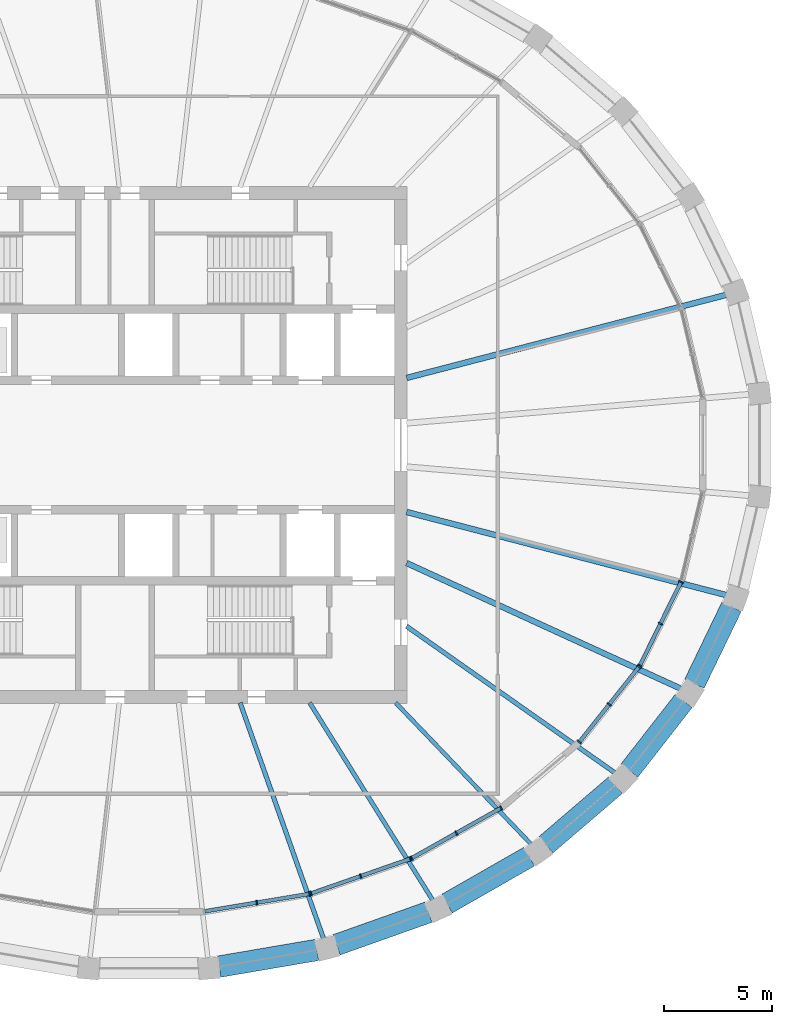
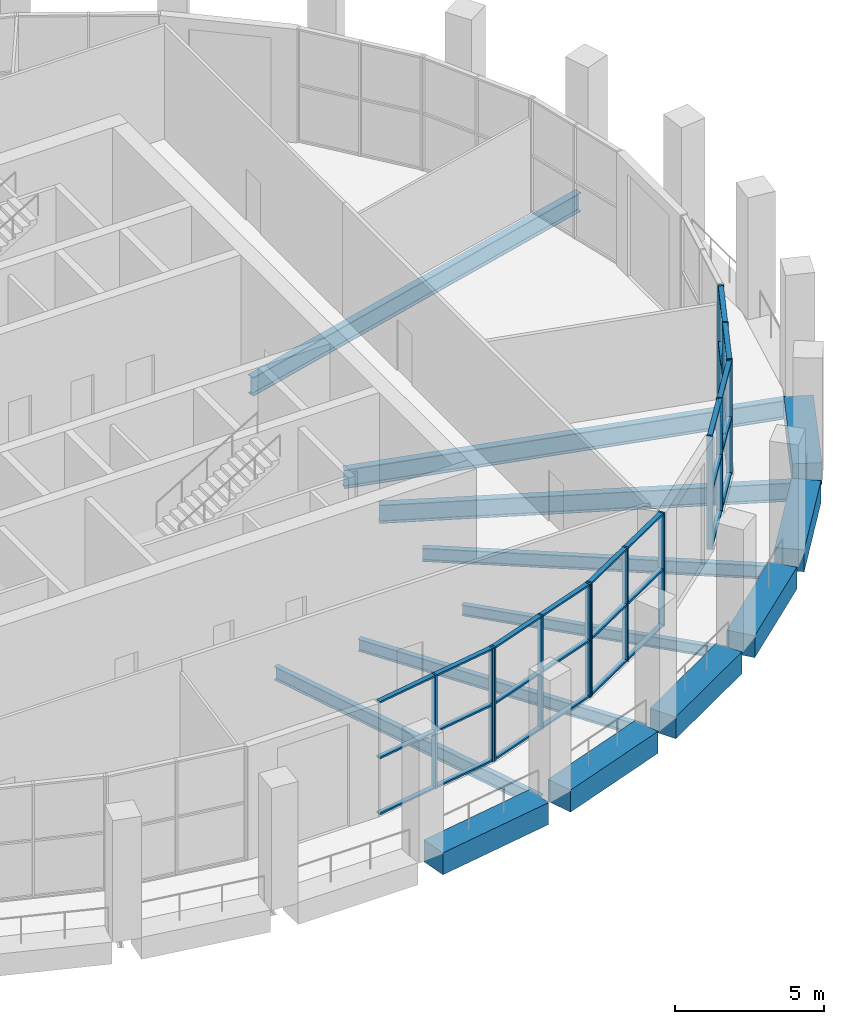
# One storey, part 4 of 16: 44 members, 13 beams, 5 elements without a shape of their own.
"""IFC4 building model written with IfcOpenShell, lengths in metres."""

import ifcopenshell
import ifcopenshell.guid

model = None  # the IFC model being written
_history = None  # IfcOwnerHistory: only IFC2X3 demands one
_inside = {}  # id of a spatial element -> (the spatial element, [elements in it])
_under = {}  # id of a project, library or spatial element -> (it, [spatial elements below it])
_declared = {}  # id of a project -> (the project, [libraries it declares])
_typed = {}  # id of a type object -> (the type object, [elements of that type])
_made_of = {}  # id of a material, layer set ... -> (it, [elements and type objects made of it])


def new_model(schema):
    """Start an empty IFC model of exactly this schema.

    Asked for "IFC4X3", IfcOpenShell would pick the latest addendum, in which some entities
    have other attributes; the version numbers below select the first issue.
    IFC2X3 requires an IfcOwnerHistory on every rooted entity: one is made here for all.
    """
    global model, _history
    if schema == "IFC4X3":
        model = ifcopenshell.file(schema_version=(4, 3, 0, 0))
    else:
        model = ifcopenshell.file(schema=schema)
    _inside.clear()
    _under.clear()
    _declared.clear()
    _typed.clear()
    _made_of.clear()
    _history = None
    if model.schema == "IFC2X3":
        org = make("IfcOrganization", Name="unknown")
        user = make(
            "IfcPersonAndOrganization",
            ThePerson=make("IfcPerson", FamilyName="unknown"),
            TheOrganization=org,
        )
        app = make(
            "IfcApplication",
            ApplicationDeveloper=org,
            Version="unknown",
            ApplicationFullName="unknown",
            ApplicationIdentifier="unknown",
        )
        _history = make(
            "IfcOwnerHistory",
            OwningUser=user,
            OwningApplication=app,
            ChangeAction="ADDED",
            CreationDate=0,
        )
    return model


def make(cls, **values):
    """One entity of the class cls with the attributes given. An attribute that is None is left unset."""
    return model.create_entity(
        cls, **{name: value for name, value in values.items() if value is not None}
    )


def rooted(cls, **values):
    """An entity with a GlobalId (a new one), such as an element, a storey or a relation."""
    return make(cls, GlobalId=ifcopenshell.guid.new(), OwnerHistory=_history, **values)


def si_unit(unit_type, name, prefix=None):
    """IfcSIUnit, for example si_unit("LENGTHUNIT", "METRE", prefix="MILLI")."""
    return make("IfcSIUnit", UnitType=unit_type, Prefix=prefix, Name=name)


def assignment(units):
    """IfcUnitAssignment: the units of a project."""
    return None if units is None else make("IfcUnitAssignment", Units=units)


def point(xyz):
    """IfcCartesianPoint."""
    return None if xyz is None else make("IfcCartesianPoint", Coordinates=xyz)


def direction(xyz):
    """IfcDirection."""
    return None if xyz is None else make("IfcDirection", DirectionRatios=xyz)


def frame(location, z_axis=None, x_axis=None):
    """IfcAxis2Placement3D, a coordinate frame: its origin and axes. An axis left out is left unset."""
    return make(
        "IfcAxis2Placement3D",
        Location=point(location),
        Axis=direction(z_axis),
        RefDirection=direction(x_axis),
    )


def frame_2d(location, x_axis=None):
    """IfcAxis2Placement2D, a coordinate frame in the plane: its origin and x axis."""
    return make(
        "IfcAxis2Placement2D", Location=point(location), RefDirection=direction(x_axis)
    )


def origin():
    """The frame at (0, 0, 0) with its axes left unset."""
    return frame((0.0, 0.0, 0.0))


def origin_2d():
    """The frame at (0, 0) in the plane with its x axis left unset."""
    return frame_2d((0.0, 0.0))


def place(relative_to, where):
    """IfcLocalPlacement: puts the frame where relative to a parent placement (None: the world)."""
    return make(
        "IfcLocalPlacement", PlacementRelTo=relative_to, RelativePlacement=where
    )


def context(
    kind, dimensions, precision=None, world=None, true_north=None, identifier=None
):
    """IfcGeometricRepresentationContext, for example the 3D "Model" context."""
    return make(
        "IfcGeometricRepresentationContext",
        ContextIdentifier=identifier,
        ContextType=kind,
        CoordinateSpaceDimension=dimensions,
        Precision=precision,
        WorldCoordinateSystem=world,
        TrueNorth=true_north,
    )


def subcontext(parent, identifier, kind, view, scale=None):
    """IfcGeometricRepresentationSubContext, for example "Body" below "Model"."""
    return make(
        "IfcGeometricRepresentationSubContext",
        ContextIdentifier=identifier,
        ContextType=kind,
        ParentContext=parent,
        TargetScale=scale,
        TargetView=view,
    )


def project(units=None, contexts=None):
    """IfcProject with its units and contexts."""
    return rooted(
        "IfcProject",
        Name="project",
        RepresentationContexts=contexts,
        UnitsInContext=assignment(units),
    )


def spatial(cls, under=None, at=None, **own):
    """A site, building, storey or space (cls), placed at a placement, below another one or the project."""
    s = rooted(cls, ObjectPlacement=at, **own)
    if under is not None:
        _under.setdefault(under.id(), (under, []))[1].append(s)
    return s


def profile(cls, at=None, kind="AREA", **sizes):
    """A parametric profile (cls). Its sizes go by their IFC names, for example OverallWidth=200.0."""
    return make(cls, ProfileType=kind, Position=at, **sizes)


def rectangle(**sizes):
    """IfcRectangleProfileDef."""
    return profile("IfcRectangleProfileDef", **sizes)


def i_section(**sizes):
    """IfcIShapeProfileDef."""
    return profile("IfcIShapeProfileDef", **sizes)


def extrude(swept, where, along, depth):
    """IfcExtrudedAreaSolid: the profile swept, set in the frame where, extruded along a direction by depth."""
    return make(
        "IfcExtrudedAreaSolid",
        SweptArea=swept,
        Position=where,
        ExtrudedDirection=direction(along),
        Depth=depth,
    )


def shape(context_of_items, identifier, shape_type, items):
    """IfcShapeRepresentation: the items that make up one representation, for example the "Body"."""
    return make(
        "IfcShapeRepresentation",
        ContextOfItems=context_of_items,
        RepresentationIdentifier=identifier,
        RepresentationType=shape_type,
        Items=items,
    )


def material(Name=None, Category=None):
    """IfcMaterial."""
    return make("IfcMaterial", Name=Name, Category=Category)


def material_profile(
    of_material, cross_section, Name=None, Category=None, Priority=None
):
    """IfcMaterialProfile: a cross section and its material."""
    return make(
        "IfcMaterialProfile",
        Name=Name,
        Material=of_material,
        Profile=cross_section,
        Priority=Priority,
        Category=Category,
    )


def profile_set(profiles, Name=None, composite=None):
    """IfcMaterialProfileSet."""
    return make(
        "IfcMaterialProfileSet",
        Name=Name,
        MaterialProfiles=profiles,
        CompositeProfile=composite,
    )


def made_of(thing, what):
    """Note that an element or type object is made of a material, layer set ...; save() writes the relation."""
    if what is not None:
        _made_of.setdefault(what.id(), (what, []))[1].append(thing)
    return thing


def type_object(cls, material=None, **own):
    """A type object (cls), such as IfcWallType, which elements share."""
    return made_of(rooted(cls, **own), material)


def element(
    cls,
    number,
    at=None,
    inside=None,
    cuts=None,
    type_object=None,
    material=None,
    context=None,
    identifier="Body",
    shape_type=None,
    held_by="IfcProductDefinitionShape",
    body=None,
    shapes=None,
    **own,
):
    """One element of the class cls, such as IfcWall. Its Tag is "e" and its number.

    at: its placement. inside: the storey or other place that contains it. cuts: it is an
    opening in that element (IfcRelVoidsElement). A single representation is given by context,
    identifier, shape_type and body (its items); several are given by shapes. held_by: the class
    of the entity that holds the representations. save() writes the other relations.
    """
    e = rooted(cls, Tag="e%d" % number, ObjectPlacement=at, **own)
    if body is not None:
        shapes = [shape(context, identifier, shape_type, body)]
    if shapes is not None:
        e.Representation = make(held_by, Representations=shapes)
    if inside is not None:
        _inside.setdefault(inside.id(), (inside, []))[1].append(e)
    if cuts is not None:
        rooted(
            "IfcRelVoidsElement", RelatingBuildingElement=cuts, RelatedOpeningElement=e
        )
    if type_object is not None:
        _typed.setdefault(type_object.id(), (type_object, []))[1].append(e)
    return made_of(e, material)


def aggregate(whole, parts):
    """IfcRelAggregates: a whole, such as a stair, and the parts it consists of."""
    return rooted("IfcRelAggregates", RelatingObject=whole, RelatedObjects=parts)


def save(model, path):
    """Write the relations noted so far, then the file.

    IfcRelAggregates (storeys below a building ...), IfcRelContainedInSpatialStructure (elements
    in a storey), IfcRelDefinesByType, IfcRelAssociatesMaterial and IfcRelDeclares: one each for
    every whole, place, type object, material and project.
    """
    for whole, parts in _under.values():
        aggregate(whole, parts)
    for where, things in _inside.values():
        rooted(
            "IfcRelContainedInSpatialStructure",
            RelatedElements=things,
            RelatingStructure=where,
        )
    for kind, things in _typed.values():
        rooted("IfcRelDefinesByType", RelatedObjects=things, RelatingType=kind)
    for what, things in _made_of.values():
        rooted("IfcRelAssociatesMaterial", RelatedObjects=things, RelatingMaterial=what)
    for by, libraries in _declared.values():
        rooted("IfcRelDeclares", RelatingContext=by, RelatedDefinitions=libraries)
    model.write(path)


model = new_model("IFC4")

# Units and contexts
model_context = context("Model", 3, precision=1e-05, world=origin(), true_north=direction((0.0, 1.0)))
body_context = subcontext(model_context, "Body", "Model", "MODEL_VIEW")
ifc_project = project(units=[si_unit("LENGTHUNIT", "METRE"), si_unit("AREAUNIT", "SQUARE_METRE"), si_unit("VOLUMEUNIT", "CUBIC_METRE"), si_unit("PLANEANGLEUNIT", "RADIAN"), si_unit("MASSUNIT", "GRAM", prefix="KILO")], contexts=[model_context])

# Site, building, storey
site_placement = place(None, origin())
site = spatial("IfcSite", under=ifc_project, at=site_placement, CompositionType="ELEMENT")
building_placement = place(site_placement, origin())
building = spatial("IfcBuilding", under=site, at=building_placement, Name="Halqa Exchange Tower", CompositionType="ELEMENT")
storey_placement = place(building_placement, frame((0.0, 0.0, 333.300048828125)))
storey = spatial("IfcBuildingStorey", under=building, at=storey_placement, Name="L78", CompositionType="ELEMENT", Elevation=333.300048828125)

# Beams
ifc_material_1 = material(Name="Steel S355", Category="steel")
ifc_material_profile_1 = material_profile(ifc_material_1, i_section(OverallWidth=0.18994140625, OverallDepth=0.449951171875, WebThickness=0.009521484375, FlangeThickness=0.0146484375, FilletRadius=0.02099609375, at=origin_2d()), Name="IPE 450")
ifc_profile_set_1 = profile_set([ifc_material_profile_1], Name="Steel S355")
beam_type_1 = type_object("IfcBeamType", Name="Floor beam IPE 450", PredefinedType="BEAM", material=ifc_profile_set_1)
beam_1_placement = place(storey_placement, frame((11.462890625, -11.97216796875, -0.574951171875), z_axis=(0.6915759213, -0.722303776175, 0.0), x_axis=(0.722303776175, 0.6915759213, 0.0)))
element("IfcBeam", 1, at=beam_1_placement, inside=storey, type_object=beam_type_1, Name="Radial beam 28", PredefinedType="BEAM", context=body_context, shape_type="SweptSolid", body=[
    extrude(i_section(OverallWidth=0.18994140625, OverallDepth=0.449951171875, WebThickness=0.009521484375, FlangeThickness=0.0146484375, FilletRadius=0.02099609375, at=origin_2d()), origin(), (0.0, 0.0, 1.0), 9.192626953125),
])
ifc_material_profile_2 = material_profile(ifc_material_1, i_section(OverallWidth=0.199951171875, OverallDepth=0.5, WebThickness=0.01025390625, FlangeThickness=0.01611328125, FilletRadius=0.02099609375, at=origin_2d()), Name="IPE 500")
ifc_profile_set_2 = profile_set([ifc_material_profile_2], Name="Steel S355")
beam_type_2 = type_object("IfcBeamType", Name="Floor beam IPE 500", PredefinedType="BEAM", material=ifc_profile_set_2)
beam_2_placement = place(storey_placement, frame((7.4658203125, -11.97216796875, -0.60009765625), z_axis=(0.529137326003, -0.848536204431, 0.0), x_axis=(0.848536204431, 0.529137326003, 0.0)))
element("IfcBeam", 2, at=beam_2_placement, inside=storey, type_object=beam_type_2, Name="Radial beam 27", PredefinedType="BEAM", context=body_context, shape_type="SweptSolid", body=[
    extrude(i_section(OverallWidth=0.199951171875, OverallDepth=0.5, WebThickness=0.01025390625, FlangeThickness=0.01611328125, FilletRadius=0.02099609375, at=origin_2d()), origin(), (0.0, 0.0, 1.0), 10.904541015625),
])
ifc_material_profile_3 = material_profile(ifc_material_1, i_section(OverallWidth=0.2099609375, OverallDepth=0.550048828125, WebThickness=0.010986328125, FlangeThickness=0.01708984375, FilletRadius=0.02392578125, at=origin_2d()), Name="IPE 550")
ifc_profile_set_3 = profile_set([ifc_material_profile_3], Name="Steel S355")
beam_type_3 = type_object("IfcBeamType", Name="Floor beam IPE 550", PredefinedType="BEAM", material=ifc_profile_set_3)
beam_3_placement = place(storey_placement, frame((4.23681640625, -11.971923828125, -0.625), z_axis=(0.333622781905, -0.942706656067, 0.0), x_axis=(0.942706656067, 0.333622781905, 0.0)))
element("IfcBeam", 3, at=beam_3_placement, inside=storey, type_object=beam_type_3, Name="Radial beam 26", PredefinedType="BEAM", context=body_context, shape_type="SweptSolid", body=[
    extrude(i_section(OverallWidth=0.2099609375, OverallDepth=0.550048828125, WebThickness=0.010986328125, FlangeThickness=0.01708984375, FilletRadius=0.02392578125, at=origin_2d()), origin(), (0.0, 0.0, 1.0), 11.723876953125),
])
beam_4_placement = place(storey_placement, frame((11.97265625, -8.422119140625, -0.625), z_axis=(0.817914568296, -0.57533969007, 0.0), x_axis=(0.57533969007, 0.817914568296, 0.0)))
element("IfcBeam", 4, at=beam_4_placement, inside=storey, type_object=beam_type_3, Name="Radial beam 29", PredefinedType="BEAM", context=body_context, shape_type="SweptSolid", body=[
    extrude(i_section(OverallWidth=0.2099609375, OverallDepth=0.550048828125, WebThickness=0.010986328125, FlangeThickness=0.01708984375, FilletRadius=0.02392578125, at=origin_2d()), origin(), (0.0, 0.0, 1.0), 11.92138671875),
])
ifc_material_profile_4 = material_profile(ifc_material_1, i_section(OverallWidth=0.264892578125, OverallDepth=0.7529296875, WebThickness=0.01318359375, FlangeThickness=0.01708984375, FilletRadius=0.01708984375, at=origin_2d()), Name="IPE 750x147")
ifc_profile_set_4 = profile_set([ifc_material_profile_4], Name="Steel S355")
beam_type_4 = type_object("IfcBeamType", Name="Floor beam IPE 750x147", PredefinedType="BEAM", material=ifc_profile_set_4)
beam_5_placement = place(storey_placement, frame((11.972412109375, -5.485107421875, -0.7265625), z_axis=(0.909126834486, -0.416519385884, 0.0), x_axis=(0.416519385884, 0.909126834486, 0.0)))
element("IfcBeam", 5, at=beam_5_placement, inside=storey, type_object=beam_type_4, Name="Radial beam 30", PredefinedType="BEAM", context=body_context, shape_type="SweptSolid", body=[
    extrude(i_section(OverallWidth=0.264892578125, OverallDepth=0.7529296875, WebThickness=0.01318359375, FlangeThickness=0.01708984375, FilletRadius=0.01708984375, at=origin_2d()), origin(), (0.0, 0.0, 1.0), 14.10205078125),
])
ifc_material_profile_5 = material_profile(ifc_material_1, i_section(OverallWidth=0.26806640625, OverallDepth=0.77001953125, WebThickness=0.015625, FlangeThickness=0.025390625, FilletRadius=0.01708984375, at=origin_2d()), Name="IPE 750x196")
ifc_profile_set_5 = profile_set([ifc_material_profile_5], Name="Steel S355")
beam_type_5 = type_object("IfcBeamType", Name="Floor beam IPE 750x196", PredefinedType="BEAM", material=ifc_profile_set_5)
for number, where, z_axis, x_axis, name in (
    (6, (11.97119140625, 3.112548828125, -0.735107421875), (0.967819348283, 0.251645999551, 0.0), (-0.251645999551, 0.967819348283, 0.0), "Radial beam 2"),
    (7, (11.97119140625, -3.112548828125, -0.735107421875), (0.967819348283, -0.251645999551, 0.0), (0.251645999551, 0.967819348283, 0.0), "Radial beam 31"),
):
    element("IfcBeam", number, at=place(storey_placement, frame(where, z_axis=z_axis, x_axis=x_axis)), inside=storey, type_object=beam_type_5, Name=name, PredefinedType="BEAM", context=body_context, shape_type="SweptSolid", body=[
        extrude(i_section(OverallWidth=0.26806640625, OverallDepth=0.77001953125, WebThickness=0.015625, FlangeThickness=0.025390625, FilletRadius=0.01708984375, at=origin_2d()), origin(), (0.0, 0.0, 1.0), 15.4365234375),
    ])
ifc_material_2 = material(Name="Concrete C60/75", Category="concrete")
ifc_material_profile_6 = material_profile(ifc_material_2, rectangle(XDim=1.0, YDim=0.89990234375, at=origin_2d()), Name="1000 x 900")
ifc_profile_set_6 = profile_set([ifc_material_profile_6], Name="Concrete C60/75")
beam_type_6 = type_object("IfcBeamType", Name="RC spandrel beam 1000 x 900 C60/75", PredefinedType="SPANDREL", material=ifc_profile_set_6)
beam_6_placement = place(storey_placement, frame((3.2607421875, -24.231201171875, -0.449951171875), z_axis=(0.985773042695, 0.168081849987, 0.0), x_axis=(-0.168081849987, 0.985773042695, 0.0)))
element("IfcBeam", 8, at=beam_6_placement, inside=storey, type_object=beam_type_6, Name="Spandrel 25", PredefinedType="SPANDREL", context=body_context, shape_type="SweptSolid", body=[
    extrude(rectangle(XDim=1.0, YDim=0.89990234375, at=origin_2d()), origin(), (0.0, 0.0, 1.0), 4.6103515625),
])
beam_7_placement = place(storey_placement, frame((8.718994140625, -23.218505859375, -0.449951171875), z_axis=(0.94236088808, 0.334598201755, 0.0), x_axis=(-0.334598201755, 0.94236088808, 0.0)))
element("IfcBeam", 9, at=beam_7_placement, inside=storey, type_object=beam_type_6, Name="Spandrel 26", PredefinedType="SPANDREL", context=body_context, shape_type="SweptSolid", body=[
    extrude(rectangle(XDim=1.0, YDim=0.89990234375, at=origin_2d()), origin(), (0.0, 0.0, 1.0), 4.530517578125),
])
beam_8_placement = place(storey_placement, frame((13.8466796875, -21.30810546875, -0.449951171875), z_axis=(0.86778573249, 0.49693855001, 0.0), x_axis=(-0.49693855001, 0.86778573249, 0.0)))
element("IfcBeam", 10, at=beam_8_placement, inside=storey, type_object=beam_type_6, Name="Spandrel 27", PredefinedType="SPANDREL", context=body_context, shape_type="SweptSolid", body=[
    extrude(rectangle(XDim=1.0, YDim=0.89990234375, at=origin_2d()), origin(), (0.0, 0.0, 1.0), 4.40478515625),
])
beam_9_placement = place(storey_placement, frame((18.44091796875, -18.574462890625, -0.449951171875), z_axis=(0.759232294843, 0.65081973116, 0.0), x_axis=(-0.65081973116, 0.759232294843, 0.0)))
element("IfcBeam", 11, at=beam_9_placement, inside=storey, type_object=beam_type_6, Name="Spandrel 28", PredefinedType="SPANDREL", context=body_context, shape_type="SweptSolid", body=[
    extrude(rectangle(XDim=1.0, YDim=0.89990234375, at=origin_2d()), origin(), (0.0, 0.0, 1.0), 4.25390625),
])
beam_10_placement = place(storey_placement, frame((22.322021484375, -15.123779296875, -0.449951171875), z_axis=(0.61480594236, 0.788678421943, 0.0), x_axis=(-0.788678421943, 0.61480594236, 0.0)))
element("IfcBeam", 12, at=beam_10_placement, inside=storey, type_object=beam_type_6, Name="Spandrel 29", PredefinedType="SPANDREL", context=body_context, shape_type="SweptSolid", body=[
    extrude(rectangle(XDim=1.0, YDim=0.89990234375, at=origin_2d()), origin(), (0.0, 0.0, 1.0), 4.10009765625),
])
beam_11_placement = place(storey_placement, frame((25.34130859375, -11.088623046875, -0.449951171875), z_axis=(0.43505216676, 0.900405248873, 0.0), x_axis=(-0.900405248873, 0.43505216676, 0.0)))
element("IfcBeam", 13, at=beam_11_placement, inside=storey, type_object=beam_type_6, Name="Spandrel 30", PredefinedType="SPANDREL", context=body_context, shape_type="SweptSolid", body=[
    extrude(rectangle(XDim=1.0, YDim=0.89990234375, at=origin_2d()), origin(), (0.0, 0.0, 1.0), 3.964111328125),
])

# Curtain wall, members
ifc_material_3 = material(Name="Anodised aluminium and clear glass", Category="aluminium")
curtain_wall_type = type_object("IfcCurtainWallType", Name="Sky lobby glazing", PredefinedType="NOTDEFINED", material=ifc_material_3)
curtain_wall_1_placement = place(storey_placement, origin())
curtain_wall_1 = element("IfcCurtainWall", 14, at=curtain_wall_1_placement, inside=storey, type_object=curtain_wall_type, Name="Sky lobby glazing run G25", PredefinedType="NOTDEFINED")
ifc_material_4 = material(Name="Anodised aluminium", Category="aluminium")
ifc_material_profile_7 = material_profile(ifc_material_4, rectangle(XDim=0.219970703125, YDim=0.070068359375, at=origin_2d()), Name="AL 70x220")
ifc_profile_set_7 = profile_set([ifc_material_profile_7], Name="Anodised aluminium")
member_type_1 = type_object("IfcMemberType", Name="Sky lobby glazing mullion 70 x 220", PredefinedType="MULLION", material=ifc_profile_set_7)
member_1_placement = place(storey_placement, frame((5.0146484375, -21.2587890625, 0.0), z_axis=(0.0, 0.0, 1.0), x_axis=(-0.165117129007, 0.986273964834, 0.0)))
member_1 = element("IfcMember", 15, at=member_1_placement, type_object=member_type_1, Name="G25 mullion 2", PredefinedType="MULLION", context=body_context, shape_type="SweptSolid", body=[
    extrude(rectangle(XDim=0.219970703125, YDim=0.070068359375, at=origin_2d()), origin(), (0.0, 0.0, 1.0), 4.64990234375),
])
member_2_placement = place(storey_placement, frame((7.463134765625, -20.848876953125, 0.0), z_axis=(0.0, 0.0, 1.0), x_axis=(-0.165117129007, 0.986273964834, 0.0)))
member_2 = element("IfcMember", 16, at=member_2_placement, type_object=member_type_1, Name="G25 mullion 3", PredefinedType="MULLION", context=body_context, shape_type="SweptSolid", body=[
    extrude(rectangle(XDim=0.219970703125, YDim=0.070068359375, at=origin_2d()), origin(), (0.0, 0.0, 1.0), 4.64990234375),
])

curtain_wall_2_placement = place(storey_placement, origin())
curtain_wall_2 = element("IfcCurtainWall", 17, at=curtain_wall_2_placement, inside=storey, type_object=curtain_wall_type, Name="Sky lobby glazing run G26", PredefinedType="NOTDEFINED")
member_3_placement = place(storey_placement, frame((7.53076171875, -20.83154296875, 0.0), z_axis=(0.0, 0.0, 1.0), x_axis=(-0.329160021888, 0.9442741551, 0.0)))
member_3 = element("IfcMember", 18, at=member_3_placement, type_object=member_type_1, Name="G26 mullion 1", PredefinedType="MULLION", context=body_context, shape_type="SweptSolid", body=[
    extrude(rectangle(XDim=0.219970703125, YDim=0.070068359375, at=origin_2d()), origin(), (0.0, 0.0, 1.0), 4.64990234375),
])
member_4_placement = place(storey_placement, frame((9.837158203125, -20.027587890625, 0.0), z_axis=(0.0, 0.0, 1.0), x_axis=(-0.329160021888, 0.9442741551, 0.0)))
member_4 = element("IfcMember", 19, at=member_4_placement, type_object=member_type_1, Name="G26 mullion 2", PredefinedType="MULLION", context=body_context, shape_type="SweptSolid", body=[
    extrude(rectangle(XDim=0.219970703125, YDim=0.070068359375, at=origin_2d()), origin(), (0.0, 0.0, 1.0), 4.64990234375),
])
member_5_placement = place(storey_placement, frame((12.143798828125, -19.2236328125, 0.0), z_axis=(0.0, 0.0, 1.0), x_axis=(-0.329160021888, 0.9442741551, 0.0)))
member_5 = element("IfcMember", 20, at=member_5_placement, type_object=member_type_1, Name="G26 mullion 3", PredefinedType="MULLION", context=body_context, shape_type="SweptSolid", body=[
    extrude(rectangle(XDim=0.219970703125, YDim=0.070068359375, at=origin_2d()), origin(), (0.0, 0.0, 1.0), 4.64990234375),
])

curtain_wall_3_placement = place(storey_placement, origin())
curtain_wall_3 = element("IfcCurtainWall", 21, at=curtain_wall_3_placement, inside=storey, type_object=curtain_wall_type, Name="Sky lobby glazing run G27", PredefinedType="NOTDEFINED")
member_6_placement = place(storey_placement, frame((12.207275390625, -19.19482421875, 0.0), z_axis=(0.0, 0.0, 1.0), x_axis=(-0.490158094997, 0.871633547948, 0.0)))
member_6 = element("IfcMember", 22, at=member_6_placement, type_object=member_type_1, Name="G27 mullion 1", PredefinedType="MULLION", context=body_context, shape_type="SweptSolid", body=[
    extrude(rectangle(XDim=0.219970703125, YDim=0.070068359375, at=origin_2d()), origin(), (0.0, 0.0, 1.0), 4.64990234375),
])
member_7_placement = place(storey_placement, frame((14.283203125, -18.02734375, 0.0), z_axis=(0.0, 0.0, 1.0), x_axis=(-0.490158094997, 0.871633547948, 0.0)))
member_7 = element("IfcMember", 23, at=member_7_placement, type_object=member_type_1, Name="G27 mullion 2", PredefinedType="MULLION", context=body_context, shape_type="SweptSolid", body=[
    extrude(rectangle(XDim=0.219970703125, YDim=0.070068359375, at=origin_2d()), origin(), (0.0, 0.0, 1.0), 4.64990234375),
])
member_8_placement = place(storey_placement, frame((16.359130859375, -16.860107421875, 0.0), z_axis=(0.0, 0.0, 1.0), x_axis=(-0.490158094997, 0.871633547948, 0.0)))
member_8 = element("IfcMember", 24, at=member_8_placement, type_object=member_type_1, Name="G27 mullion 3", PredefinedType="MULLION", context=body_context, shape_type="SweptSolid", body=[
    extrude(rectangle(XDim=0.219970703125, YDim=0.070068359375, at=origin_2d()), origin(), (0.0, 0.0, 1.0), 4.64990234375),
])

curtain_wall_4_placement = place(storey_placement, origin())
curtain_wall_4 = element("IfcCurtainWall", 25, at=curtain_wall_4_placement, inside=storey, type_object=curtain_wall_type, Name="Sky lobby glazing run G29", PredefinedType="NOTDEFINED")
member_9_placement = place(storey_placement, frame((19.996337890625, -13.798583984375, 0.0), z_axis=(0.0, 0.0, 1.0), x_axis=(-0.783162355834, 0.621817275737, 0.0)))
member_9 = element("IfcMember", 26, at=member_9_placement, type_object=member_type_1, Name="G29 mullion 1", PredefinedType="MULLION", context=body_context, shape_type="SweptSolid", body=[
    extrude(rectangle(XDim=0.219970703125, YDim=0.070068359375, at=origin_2d()), origin(), (0.0, 0.0, 1.0), 4.64990234375),
])
member_10_placement = place(storey_placement, frame((21.3837890625, -12.05126953125, 0.0), z_axis=(0.0, 0.0, 1.0), x_axis=(-0.783162355834, 0.621817275737, 0.0)))
member_10 = element("IfcMember", 27, at=member_10_placement, type_object=member_type_1, Name="G29 mullion 2", PredefinedType="MULLION", context=body_context, shape_type="SweptSolid", body=[
    extrude(rectangle(XDim=0.219970703125, YDim=0.070068359375, at=origin_2d()), origin(), (0.0, 0.0, 1.0), 4.64990234375),
])
member_11_placement = place(storey_placement, frame((22.771240234375, -10.3037109375, 0.0), z_axis=(0.0, 0.0, 1.0), x_axis=(-0.783162355834, 0.621817275737, 0.0)))
member_11 = element("IfcMember", 28, at=member_11_placement, type_object=member_type_1, Name="G29 mullion 3", PredefinedType="MULLION", context=body_context, shape_type="SweptSolid", body=[
    extrude(rectangle(XDim=0.219970703125, YDim=0.070068359375, at=origin_2d()), origin(), (0.0, 0.0, 1.0), 4.64990234375),
])

curtain_wall_5_placement = place(storey_placement, origin())
curtain_wall_5 = element("IfcCurtainWall", 29, at=curtain_wall_5_placement, inside=storey, type_object=curtain_wall_type, Name="Sky lobby glazing run G30", PredefinedType="NOTDEFINED")
member_12_placement = place(storey_placement, frame((22.808349609375, -10.2451171875, 0.0), z_axis=(0.0, 0.0, 1.0), x_axis=(-0.897214741349, 0.441594506199, 0.0)))
member_12 = element("IfcMember", 30, at=member_12_placement, type_object=member_type_1, Name="G30 mullion 1", PredefinedType="MULLION", context=body_context, shape_type="SweptSolid", body=[
    extrude(rectangle(XDim=0.219970703125, YDim=0.070068359375, at=origin_2d()), origin(), (0.0, 0.0, 1.0), 4.64990234375),
])
member_13_placement = place(storey_placement, frame((23.76416015625, -8.302978515625, 0.0), z_axis=(0.0, 0.0, 1.0), x_axis=(-0.897214741349, 0.441594506199, 0.0)))
member_13 = element("IfcMember", 31, at=member_13_placement, type_object=member_type_1, Name="G30 mullion 2", PredefinedType="MULLION", context=body_context, shape_type="SweptSolid", body=[
    extrude(rectangle(XDim=0.219970703125, YDim=0.070068359375, at=origin_2d()), origin(), (0.0, 0.0, 1.0), 4.64990234375),
])
member_14_placement = place(storey_placement, frame((24.719970703125, -6.36083984375, 0.0), z_axis=(0.0, 0.0, 1.0), x_axis=(-0.897214741349, 0.441594506199, 0.0)))
member_14 = element("IfcMember", 32, at=member_14_placement, type_object=member_type_1, Name="G30 mullion 3", PredefinedType="MULLION", context=body_context, shape_type="SweptSolid", body=[
    extrude(rectangle(XDim=0.219970703125, YDim=0.070068359375, at=origin_2d()), origin(), (0.0, 0.0, 1.0), 4.64990234375),
])

# Member
ifc_material_profile_8 = material_profile(ifc_material_4, rectangle(XDim=0.179931640625, YDim=0.070068359375, at=origin_2d()), Name="AL 70x180")
ifc_profile_set_8 = profile_set([ifc_material_profile_8], Name="Anodised aluminium")
member_type_2 = type_object("IfcMemberType", Name="Sky lobby glazing transom 70 x 180", PredefinedType="USERDEFINED", material=ifc_profile_set_8)
member_15_placement = place(storey_placement, frame((2.6005859375, -21.662841796875, 0.034912109375), z_axis=(0.986284301217, 0.165055376081, 0.0), x_axis=(-0.165055376081, 0.986284301217, 0.0)))
member_15 = element("IfcMember", 33, at=member_15_placement, type_object=member_type_2, Name="G25 transom 1.1", ObjectType="TRANSOM", PredefinedType="USERDEFINED", context=body_context, shape_type="SweptSolid", body=[
    extrude(rectangle(XDim=0.179931640625, YDim=0.070068359375, at=origin_2d()), origin(), (0.0, 0.0, 1.0), 2.41259765625),
])

member_16_placement = place(storey_placement, frame((2.6005859375, -21.662841796875, 2.324951171875), z_axis=(0.986284301217, 0.165055376081, 0.0), x_axis=(-0.165055376081, 0.986284301217, 0.0)))
member_16 = element("IfcMember", 34, at=member_16_placement, type_object=member_type_2, Name="G25 transom 1.2", ObjectType="TRANSOM", PredefinedType="USERDEFINED", context=body_context, shape_type="SweptSolid", body=[
    extrude(rectangle(XDim=0.179931640625, YDim=0.070068359375, at=origin_2d()), origin(), (0.0, 0.0, 1.0), 2.41259765625),
])

member_17_placement = place(storey_placement, frame((2.6005859375, -21.662841796875, 4.614990234375), z_axis=(0.986284301217, 0.165055376081, 0.0), x_axis=(-0.165055376081, 0.986284301217, 0.0)))
member_17 = element("IfcMember", 35, at=member_17_placement, type_object=member_type_2, Name="G25 transom 1.3", ObjectType="TRANSOM", PredefinedType="USERDEFINED", context=body_context, shape_type="SweptSolid", body=[
    extrude(rectangle(XDim=0.179931640625, YDim=0.070068359375, at=origin_2d()), origin(), (0.0, 0.0, 1.0), 2.41259765625),
])

member_18_placement = place(storey_placement, frame((5.049072265625, -21.2529296875, 0.034912109375), z_axis=(0.986284301217, 0.165055376081, 0.0), x_axis=(-0.165055376081, 0.986284301217, 0.0)))
member_18 = element("IfcMember", 36, at=member_18_placement, type_object=member_type_2, Name="G25 transom 2.1", ObjectType="TRANSOM", PredefinedType="USERDEFINED", context=body_context, shape_type="SweptSolid", body=[
    extrude(rectangle(XDim=0.179931640625, YDim=0.070068359375, at=origin_2d()), origin(), (0.0, 0.0, 1.0), 2.41259765625),
])

member_19_placement = place(storey_placement, frame((5.049072265625, -21.2529296875, 2.324951171875), z_axis=(0.986284301217, 0.165055376081, 0.0), x_axis=(-0.165055376081, 0.986284301217, 0.0)))
member_19 = element("IfcMember", 37, at=member_19_placement, type_object=member_type_2, Name="G25 transom 2.2", ObjectType="TRANSOM", PredefinedType="USERDEFINED", context=body_context, shape_type="SweptSolid", body=[
    extrude(rectangle(XDim=0.179931640625, YDim=0.070068359375, at=origin_2d()), origin(), (0.0, 0.0, 1.0), 2.41259765625),
])

member_20_placement = place(storey_placement, frame((5.049072265625, -21.2529296875, 4.614990234375), z_axis=(0.986284301217, 0.165055376081, 0.0), x_axis=(-0.165055376081, 0.986284301217, 0.0)))
member_20 = element("IfcMember", 38, at=member_20_placement, type_object=member_type_2, Name="G25 transom 2.3", ObjectType="TRANSOM", PredefinedType="USERDEFINED", context=body_context, shape_type="SweptSolid", body=[
    extrude(rectangle(XDim=0.179931640625, YDim=0.070068359375, at=origin_2d()), origin(), (0.0, 0.0, 1.0), 2.41259765625),
])

aggregate(curtain_wall_1, [member_1, member_2, member_15, member_16, member_17, member_18, member_19, member_20])

member_21_placement = place(storey_placement, frame((7.563720703125, -20.820068359375, 0.034912109375), z_axis=(0.944273088174, 0.329163082605, 0.0), x_axis=(-0.329163082605, 0.944273088174, 0.0)))
member_21 = element("IfcMember", 39, at=member_21_placement, type_object=member_type_2, Name="G26 transom 1.1", ObjectType="TRANSOM", PredefinedType="USERDEFINED", context=body_context, shape_type="SweptSolid", body=[
    extrude(rectangle(XDim=0.179931640625, YDim=0.070068359375, at=origin_2d()), origin(), (0.0, 0.0, 1.0), 2.372802734375),
])

member_22_placement = place(storey_placement, frame((7.563720703125, -20.820068359375, 2.324951171875), z_axis=(0.944273088174, 0.329163082605, 0.0), x_axis=(-0.329163082605, 0.944273088174, 0.0)))
member_22 = element("IfcMember", 40, at=member_22_placement, type_object=member_type_2, Name="G26 transom 1.2", ObjectType="TRANSOM", PredefinedType="USERDEFINED", context=body_context, shape_type="SweptSolid", body=[
    extrude(rectangle(XDim=0.179931640625, YDim=0.070068359375, at=origin_2d()), origin(), (0.0, 0.0, 1.0), 2.372802734375),
])

member_23_placement = place(storey_placement, frame((7.563720703125, -20.820068359375, 4.614990234375), z_axis=(0.944273088174, 0.329163082605, 0.0), x_axis=(-0.329163082605, 0.944273088174, 0.0)))
member_23 = element("IfcMember", 41, at=member_23_placement, type_object=member_type_2, Name="G26 transom 1.3", ObjectType="TRANSOM", PredefinedType="USERDEFINED", context=body_context, shape_type="SweptSolid", body=[
    extrude(rectangle(XDim=0.179931640625, YDim=0.070068359375, at=origin_2d()), origin(), (0.0, 0.0, 1.0), 2.372802734375),
])

member_24_placement = place(storey_placement, frame((9.870361328125, -20.01611328125, 0.034912109375), z_axis=(0.94426193798, 0.329195067524, 0.0), x_axis=(-0.329195067524, 0.94426193798, 0.0)))
member_24 = element("IfcMember", 42, at=member_24_placement, type_object=member_type_2, Name="G26 transom 2.1", ObjectType="TRANSOM", PredefinedType="USERDEFINED", context=body_context, shape_type="SweptSolid", body=[
    extrude(rectangle(XDim=0.179931640625, YDim=0.070068359375, at=origin_2d()), origin(), (0.0, 0.0, 1.0), 2.37255859375),
])

member_25_placement = place(storey_placement, frame((9.870361328125, -20.01611328125, 2.324951171875), z_axis=(0.94426193798, 0.329195067524, 0.0), x_axis=(-0.329195067524, 0.94426193798, 0.0)))
member_25 = element("IfcMember", 43, at=member_25_placement, type_object=member_type_2, Name="G26 transom 2.2", ObjectType="TRANSOM", PredefinedType="USERDEFINED", context=body_context, shape_type="SweptSolid", body=[
    extrude(rectangle(XDim=0.179931640625, YDim=0.070068359375, at=origin_2d()), origin(), (0.0, 0.0, 1.0), 2.37255859375),
])

member_26_placement = place(storey_placement, frame((9.870361328125, -20.01611328125, 4.614990234375), z_axis=(0.94426193798, 0.329195067524, 0.0), x_axis=(-0.329195067524, 0.94426193798, 0.0)))
member_26 = element("IfcMember", 44, at=member_26_placement, type_object=member_type_2, Name="G26 transom 2.3", ObjectType="TRANSOM", PredefinedType="USERDEFINED", context=body_context, shape_type="SweptSolid", body=[
    extrude(rectangle(XDim=0.179931640625, YDim=0.070068359375, at=origin_2d()), origin(), (0.0, 0.0, 1.0), 2.37255859375),
])

aggregate(curtain_wall_2, [member_3, member_4, member_5, member_21, member_22, member_23, member_24, member_25, member_26])

member_27_placement = place(storey_placement, frame((12.23779296875, -19.177734375, 0.034912109375), z_axis=(0.871634762518, 0.490155935157, 0.0), x_axis=(-0.490155935157, 0.871634762518, 0.0)))
member_27 = element("IfcMember", 45, at=member_27_placement, type_object=member_type_2, Name="G27 transom 1.1", ObjectType="TRANSOM", PredefinedType="USERDEFINED", context=body_context, shape_type="SweptSolid", body=[
    extrude(rectangle(XDim=0.179931640625, YDim=0.070068359375, at=origin_2d()), origin(), (0.0, 0.0, 1.0), 2.3115234375),
])

member_28_placement = place(storey_placement, frame((12.23779296875, -19.177734375, 2.324951171875), z_axis=(0.871634762518, 0.490155935157, 0.0), x_axis=(-0.490155935157, 0.871634762518, 0.0)))
member_28 = element("IfcMember", 46, at=member_28_placement, type_object=member_type_2, Name="G27 transom 1.2", ObjectType="TRANSOM", PredefinedType="USERDEFINED", context=body_context, shape_type="SweptSolid", body=[
    extrude(rectangle(XDim=0.179931640625, YDim=0.070068359375, at=origin_2d()), origin(), (0.0, 0.0, 1.0), 2.3115234375),
])

member_29_placement = place(storey_placement, frame((12.23779296875, -19.177734375, 4.614990234375), z_axis=(0.871634762518, 0.490155935157, 0.0), x_axis=(-0.490155935157, 0.871634762518, 0.0)))
member_29 = element("IfcMember", 47, at=member_29_placement, type_object=member_type_2, Name="G27 transom 1.3", ObjectType="TRANSOM", PredefinedType="USERDEFINED", context=body_context, shape_type="SweptSolid", body=[
    extrude(rectangle(XDim=0.179931640625, YDim=0.070068359375, at=origin_2d()), origin(), (0.0, 0.0, 1.0), 2.3115234375),
])

member_30_placement = place(storey_placement, frame((14.313720703125, -18.01025390625, 0.034912109375), z_axis=(0.871634762518, 0.490155935157, 0.0), x_axis=(-0.490155935157, 0.871634762518, 0.0)))
member_30 = element("IfcMember", 48, at=member_30_placement, type_object=member_type_2, Name="G27 transom 2.1", ObjectType="TRANSOM", PredefinedType="USERDEFINED", context=body_context, shape_type="SweptSolid", body=[
    extrude(rectangle(XDim=0.179931640625, YDim=0.070068359375, at=origin_2d()), origin(), (0.0, 0.0, 1.0), 2.3115234375),
])

member_31_placement = place(storey_placement, frame((14.313720703125, -18.01025390625, 2.324951171875), z_axis=(0.871634762518, 0.490155935157, 0.0), x_axis=(-0.490155935157, 0.871634762518, 0.0)))
member_31 = element("IfcMember", 49, at=member_31_placement, type_object=member_type_2, Name="G27 transom 2.2", ObjectType="TRANSOM", PredefinedType="USERDEFINED", context=body_context, shape_type="SweptSolid", body=[
    extrude(rectangle(XDim=0.179931640625, YDim=0.070068359375, at=origin_2d()), origin(), (0.0, 0.0, 1.0), 2.3115234375),
])

member_32_placement = place(storey_placement, frame((14.313720703125, -18.01025390625, 4.614990234375), z_axis=(0.871634762518, 0.490155935157, 0.0), x_axis=(-0.490155935157, 0.871634762518, 0.0)))
member_32 = element("IfcMember", 50, at=member_32_placement, type_object=member_type_2, Name="G27 transom 2.3", ObjectType="TRANSOM", PredefinedType="USERDEFINED", context=body_context, shape_type="SweptSolid", body=[
    extrude(rectangle(XDim=0.179931640625, YDim=0.070068359375, at=origin_2d()), origin(), (0.0, 0.0, 1.0), 2.3115234375),
])

aggregate(curtain_wall_3, [member_6, member_7, member_8, member_27, member_28, member_29, member_30, member_31, member_32])

member_33_placement = place(storey_placement, frame((20.01806640625, -13.771240234375, 0.034912109375), z_axis=(0.621770069229, 0.78319983466, 0.0), x_axis=(-0.78319983466, 0.621770069229, 0.0)))
member_33 = element("IfcMember", 51, at=member_33_placement, type_object=member_type_2, Name="G29 transom 1.1", ObjectType="TRANSOM", PredefinedType="USERDEFINED", context=body_context, shape_type="SweptSolid", body=[
    extrude(rectangle(XDim=0.179931640625, YDim=0.070068359375, at=origin_2d()), origin(), (0.0, 0.0, 1.0), 2.1611328125),
])

member_34_placement = place(storey_placement, frame((20.01806640625, -13.771240234375, 2.324951171875), z_axis=(0.621770069229, 0.78319983466, 0.0), x_axis=(-0.78319983466, 0.621770069229, 0.0)))
member_34 = element("IfcMember", 52, at=member_34_placement, type_object=member_type_2, Name="G29 transom 1.2", ObjectType="TRANSOM", PredefinedType="USERDEFINED", context=body_context, shape_type="SweptSolid", body=[
    extrude(rectangle(XDim=0.179931640625, YDim=0.070068359375, at=origin_2d()), origin(), (0.0, 0.0, 1.0), 2.1611328125),
])

member_35_placement = place(storey_placement, frame((20.01806640625, -13.771240234375, 4.614990234375), z_axis=(0.621770069229, 0.78319983466, 0.0), x_axis=(-0.78319983466, 0.621770069229, 0.0)))
member_35 = element("IfcMember", 53, at=member_35_placement, type_object=member_type_2, Name="G29 transom 1.3", ObjectType="TRANSOM", PredefinedType="USERDEFINED", context=body_context, shape_type="SweptSolid", body=[
    extrude(rectangle(XDim=0.179931640625, YDim=0.070068359375, at=origin_2d()), origin(), (0.0, 0.0, 1.0), 2.1611328125),
])

member_36_placement = place(storey_placement, frame((21.405517578125, -12.02392578125, 0.034912109375), z_axis=(0.621770069229, 0.78319983466, 0.0), x_axis=(-0.78319983466, 0.621770069229, 0.0)))
member_36 = element("IfcMember", 54, at=member_36_placement, type_object=member_type_2, Name="G29 transom 2.1", ObjectType="TRANSOM", PredefinedType="USERDEFINED", context=body_context, shape_type="SweptSolid", body=[
    extrude(rectangle(XDim=0.179931640625, YDim=0.070068359375, at=origin_2d()), origin(), (0.0, 0.0, 1.0), 2.1611328125),
])

member_37_placement = place(storey_placement, frame((21.405517578125, -12.02392578125, 2.324951171875), z_axis=(0.621770069229, 0.78319983466, 0.0), x_axis=(-0.78319983466, 0.621770069229, 0.0)))
member_37 = element("IfcMember", 55, at=member_37_placement, type_object=member_type_2, Name="G29 transom 2.2", ObjectType="TRANSOM", PredefinedType="USERDEFINED", context=body_context, shape_type="SweptSolid", body=[
    extrude(rectangle(XDim=0.179931640625, YDim=0.070068359375, at=origin_2d()), origin(), (0.0, 0.0, 1.0), 2.1611328125),
])

member_38_placement = place(storey_placement, frame((21.405517578125, -12.02392578125, 4.614990234375), z_axis=(0.621770069229, 0.78319983466, 0.0), x_axis=(-0.78319983466, 0.621770069229, 0.0)))
member_38 = element("IfcMember", 56, at=member_38_placement, type_object=member_type_2, Name="G29 transom 2.3", ObjectType="TRANSOM", PredefinedType="USERDEFINED", context=body_context, shape_type="SweptSolid", body=[
    extrude(rectangle(XDim=0.179931640625, YDim=0.070068359375, at=origin_2d()), origin(), (0.0, 0.0, 1.0), 2.1611328125),
])

aggregate(curtain_wall_4, [member_9, member_10, member_11, member_33, member_34, member_35, member_36, member_37, member_38])

member_39_placement = place(storey_placement, frame((22.82373046875, -10.213623046875, 0.034912109375), z_axis=(0.441656599677, 0.89718417728, 0.0), x_axis=(-0.89718417728, 0.441656599677, 0.0)))
member_39 = element("IfcMember", 57, at=member_39_placement, type_object=member_type_2, Name="G30 transom 1.1", ObjectType="TRANSOM", PredefinedType="USERDEFINED", context=body_context, shape_type="SweptSolid", body=[
    extrude(rectangle(XDim=0.179931640625, YDim=0.070068359375, at=origin_2d()), origin(), (0.0, 0.0, 1.0), 2.094482421875),
])

member_40_placement = place(storey_placement, frame((22.82373046875, -10.213623046875, 2.324951171875), z_axis=(0.441656599677, 0.89718417728, 0.0), x_axis=(-0.89718417728, 0.441656599677, 0.0)))
member_40 = element("IfcMember", 58, at=member_40_placement, type_object=member_type_2, Name="G30 transom 1.2", ObjectType="TRANSOM", PredefinedType="USERDEFINED", context=body_context, shape_type="SweptSolid", body=[
    extrude(rectangle(XDim=0.179931640625, YDim=0.070068359375, at=origin_2d()), origin(), (0.0, 0.0, 1.0), 2.094482421875),
])

member_41_placement = place(storey_placement, frame((22.82373046875, -10.213623046875, 4.614990234375), z_axis=(0.441656599677, 0.89718417728, 0.0), x_axis=(-0.89718417728, 0.441656599677, 0.0)))
member_41 = element("IfcMember", 59, at=member_41_placement, type_object=member_type_2, Name="G30 transom 1.3", ObjectType="TRANSOM", PredefinedType="USERDEFINED", context=body_context, shape_type="SweptSolid", body=[
    extrude(rectangle(XDim=0.179931640625, YDim=0.070068359375, at=origin_2d()), origin(), (0.0, 0.0, 1.0), 2.094482421875),
])

member_42_placement = place(storey_placement, frame((23.779541015625, -8.271484375, 0.034912109375), z_axis=(0.441656599677, 0.89718417728, 0.0), x_axis=(-0.89718417728, 0.441656599677, 0.0)))
member_42 = element("IfcMember", 60, at=member_42_placement, type_object=member_type_2, Name="G30 transom 2.1", ObjectType="TRANSOM", PredefinedType="USERDEFINED", context=body_context, shape_type="SweptSolid", body=[
    extrude(rectangle(XDim=0.179931640625, YDim=0.070068359375, at=origin_2d()), origin(), (0.0, 0.0, 1.0), 2.094482421875),
])

member_43_placement = place(storey_placement, frame((23.779541015625, -8.271484375, 2.324951171875), z_axis=(0.441656599677, 0.89718417728, 0.0), x_axis=(-0.89718417728, 0.441656599677, 0.0)))
member_43 = element("IfcMember", 61, at=member_43_placement, type_object=member_type_2, Name="G30 transom 2.2", ObjectType="TRANSOM", PredefinedType="USERDEFINED", context=body_context, shape_type="SweptSolid", body=[
    extrude(rectangle(XDim=0.179931640625, YDim=0.070068359375, at=origin_2d()), origin(), (0.0, 0.0, 1.0), 2.094482421875),
])

member_44_placement = place(storey_placement, frame((23.779541015625, -8.271484375, 4.614990234375), z_axis=(0.441656599677, 0.89718417728, 0.0), x_axis=(-0.89718417728, 0.441656599677, 0.0)))
member_44 = element("IfcMember", 62, at=member_44_placement, type_object=member_type_2, Name="G30 transom 2.3", ObjectType="TRANSOM", PredefinedType="USERDEFINED", context=body_context, shape_type="SweptSolid", body=[
    extrude(rectangle(XDim=0.179931640625, YDim=0.070068359375, at=origin_2d()), origin(), (0.0, 0.0, 1.0), 2.094482421875),
])

aggregate(curtain_wall_5, [member_12, member_13, member_14, member_39, member_40, member_41, member_42, member_43, member_44])

save(model, "model.ifc")
